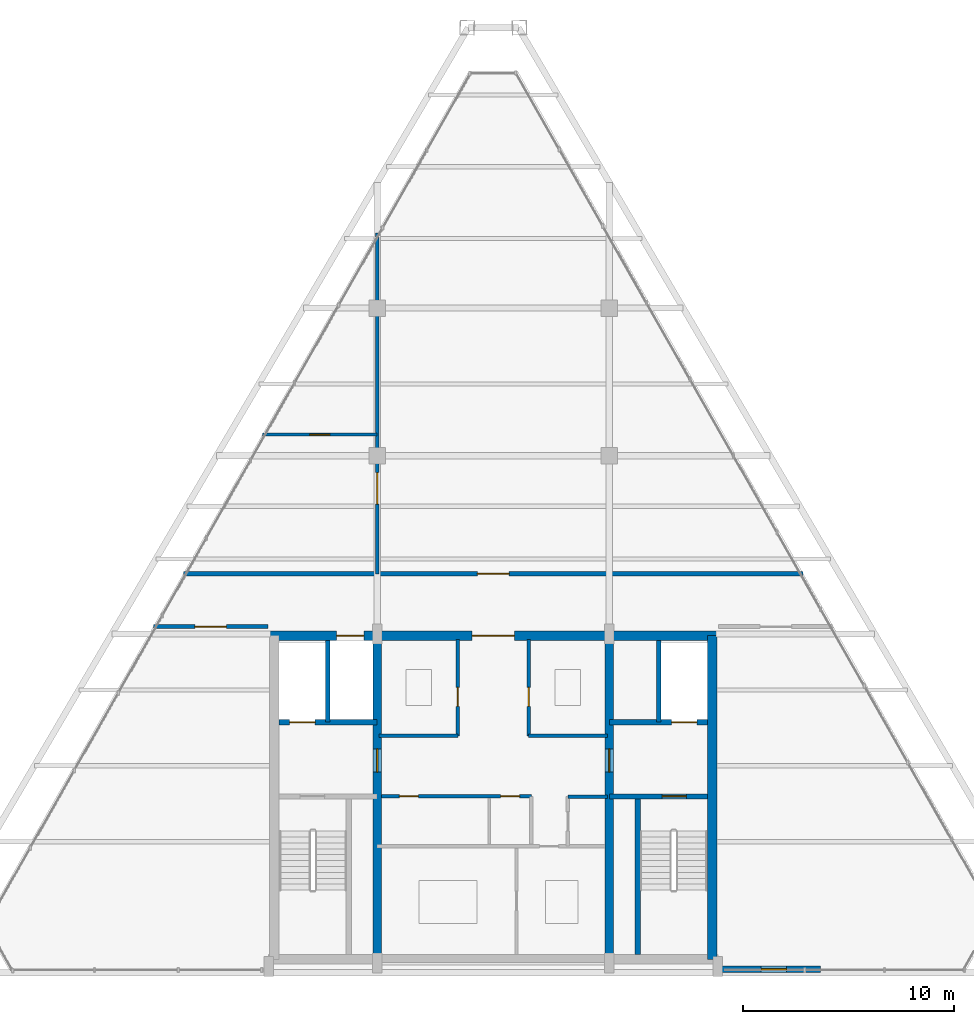
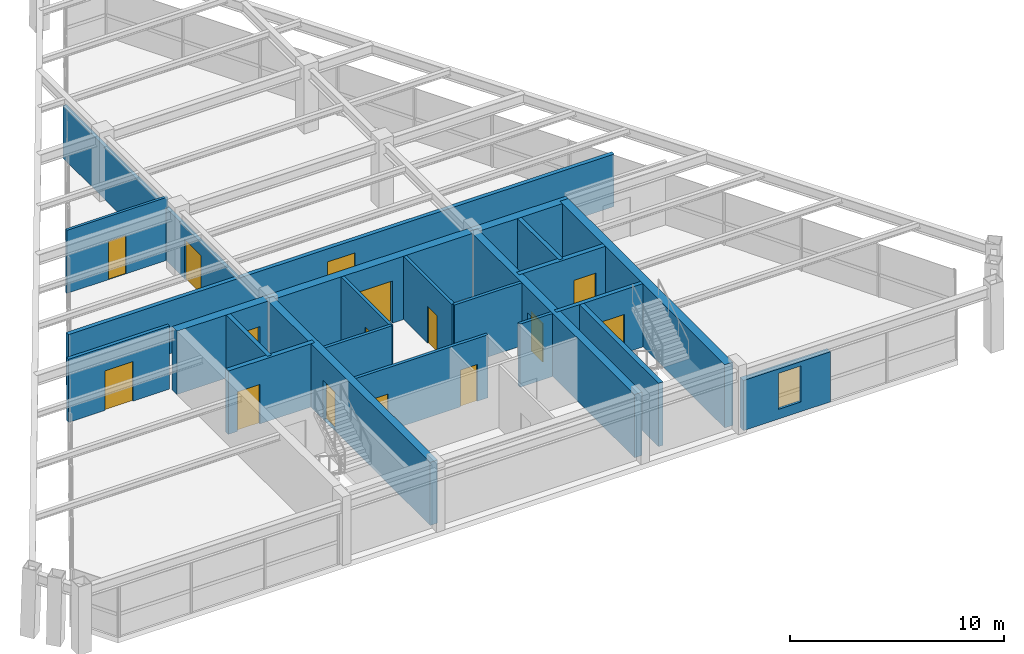
# One storey, part 10 of 12: 21 walls, 15 doors, 1 window, 16 openings.
"""IFC4 building model written with IfcOpenShell, lengths in metres."""

from ifc_helpers import new_model, si_unit, direction, frame, frame_2d, origin, place, context, subcontext, project, spatial, rectangle, extrude, source, transform, mapped, material, layer, layer_set, type_object, type_shapes, element, fill, save


model = new_model("IFC4")

# Units and contexts
model_context = context("Model", 3, precision=1e-05, world=origin(), true_north=direction((0.0, 1.0)))
body_context = subcontext(model_context, "Body", "Model", "MODEL_VIEW")
ifc_project = project(units=[si_unit("LENGTHUNIT", "METRE"), si_unit("AREAUNIT", "SQUARE_METRE"), si_unit("VOLUMEUNIT", "CUBIC_METRE"), si_unit("PLANEANGLEUNIT", "RADIAN"), si_unit("MASSUNIT", "GRAM", prefix="KILO")], contexts=[model_context])

# Site, building, storey
site_placement = place(None, origin())
site = spatial("IfcSite", under=ifc_project, at=site_placement, CompositionType="ELEMENT")
building_placement = place(site_placement, origin())
building = spatial("IfcBuilding", under=site, at=building_placement, Name="Varnakhor Terracotta Tower", CompositionType="ELEMENT")
storey_placement = place(building_placement, frame((0.0, 0.0, 309.699951171875)))
storey = spatial("IfcBuildingStorey", under=building, at=storey_placement, Name="L81 Crown", CompositionType="ELEMENT", Elevation=309.699951171875)

# Wall, openings, doors
ifc_material_1 = material(Name="Concrete C50/60", Category="concrete")
ifc_layer_1 = layer(ifc_material_1, 0.449951171875, Name="Concrete C50/60")
ifc_layer_set_1 = layer_set([ifc_layer_1], Name="Concrete C50/60")
wall_type_1 = type_object("IfcWallType", Name="WAL-CORE-450", PredefinedType="SHEAR", material=ifc_layer_set_1)
wall_1_placement = place(storey_placement, frame((-10.60009765625, 15.97509765625, 0.0), z_axis=(0.0, 0.0, 1.0), x_axis=(1.0, 0.0, 0.0)))
wall_1 = element("IfcWall", 1, at=wall_1_placement, inside=storey, type_object=wall_type_1, Name="L81 Crown North Core Shear Wall", PredefinedType="SHEAR", context=body_context, shape_type="SweptSolid", body=[
    extrude(rectangle(XDim=21.2001953125, YDim=0.449951171875, at=frame_2d((10.60009765625, 0.0))), origin(), (0.0, 0.0, 1.0), 3.60009765625),
])
opening_1_placement = place(wall_1_placement, frame((3.169921875, 0.0, 0.0)))
opening_1 = element("IfcOpeningElement", 2, at=opening_1_placement, cuts=wall_1, Name="Opening LD-03", PredefinedType="OPENING", context=body_context, shape_type="SweptSolid", body=[
    extrude(rectangle(XDim=1.300048828125, YDim=2.300048828125, at=frame_2d((0.64990234375, 1.14990234375))), frame((0.0, 0.23486328125, 0.0), z_axis=(0.0, -1.0, 0.0), x_axis=(1.0, 0.0, 0.0)), (0.0, 0.0, 1.0), 0.469970703125),
])
opening_2_placement = place(wall_1_placement, frame((9.60009765625, 0.0, 0.0)))
opening_2 = element("IfcOpeningElement", 3, at=opening_2_placement, cuts=wall_1, Name="Opening DR-32", PredefinedType="OPENING", context=body_context, shape_type="SweptSolid", body=[
    extrude(rectangle(XDim=2.0, YDim=2.39990234375, at=frame_2d((1.0, 1.199951171875))), frame((0.0, 0.23486328125, 0.0), z_axis=(0.0, -1.0, 0.0), x_axis=(1.0, 0.0, 0.0)), (0.0, 0.0, 1.0), 0.469970703125),
])
ifc_material_2 = material(Name="Heavy-Duty Goods Sliding Lift Landing Door", Category="steel")
door_type_1 = type_object("IfcDoorType", Name="LD-SRV-1300X2300", OperationType="NOTDEFINED", PredefinedType="DOOR", material=ifc_material_2)
shared_shape_1 = source(origin(), body_context, "Body", "SweptSolid", [
    extrude(rectangle(XDim=1.300048828125, YDim=2.300048828125, at=frame_2d((0.64990234375, 1.14990234375))), frame((0.0, 0.02490234375, 0.0), z_axis=(0.0, -1.0, 0.0), x_axis=(1.0, 0.0, 0.0)), (0.0, 0.0, 1.0), 0.050048828125),
])
type_shapes(door_type_1, [shared_shape_1])
door_1_placement = place(opening_1_placement, origin())
door_1 = element("IfcDoor", 4, at=door_1_placement, inside=storey, type_object=door_type_1, Name="L81 Crown Service Lift SVL-1 Landing Door", OperationType="SLIDING_TO_RIGHT", OverallHeight=2.300048828125, OverallWidth=1.300048828125, PredefinedType="DOOR", context=body_context, shape_type="MappedRepresentation", body=[
    mapped(shared_shape_1, transform((0.0, 0.0, 0.0), scale=1.0)),
])
fill(opening_1, door_1)
ifc_material_3 = material(Name="Acoustic Double Assembly Fire Door", Category="wood")
door_type_2 = type_object("IfcDoorType", Name="DR-HALL-2000X2400", OperationType="NOTDEFINED", PredefinedType="DOOR", material=ifc_material_3)
shared_shape_2 = source(origin(), body_context, "Body", "SweptSolid", [
    extrude(rectangle(XDim=2.0, YDim=2.39990234375, at=frame_2d((1.0, 1.199951171875))), frame((0.0, 0.02490234375, 0.0), z_axis=(0.0, -1.0, 0.0), x_axis=(1.0, 0.0, 0.0)), (0.0, 0.0, 1.0), 0.050048828125),
])
type_shapes(door_type_2, [shared_shape_2])
door_2_placement = place(opening_2_placement, origin())
door_2 = element("IfcDoor", 5, at=door_2_placement, inside=storey, type_object=door_type_2, Name="L81 Crown Core Main Lobby Double Door", OperationType="DOUBLE_DOOR_SINGLE_SWING", OverallHeight=2.39990234375, OverallWidth=2.0, PredefinedType="DOOR", context=body_context, shape_type="MappedRepresentation", body=[
    mapped(shared_shape_2, transform((0.0, 0.0, 0.0), scale=1.0)),
])
fill(opening_2, door_2)

# Wall
wall_2_placement = place(storey_placement, frame((10.375, 0.625, 0.0), z_axis=(0.0, 0.0, 1.0), x_axis=(0.0, 1.0, 0.0)))
element("IfcWall", 6, at=wall_2_placement, inside=storey, type_object=wall_type_1, Name="L81 Crown East Core Shear Wall", PredefinedType="SHEAR", context=body_context, shape_type="SweptSolid", body=[
    extrude(rectangle(XDim=15.35009765625, YDim=0.449951171875, at=frame_2d((7.675048828125, 0.0))), origin(), (0.0, 0.0, 1.0), 3.60009765625),
])

# Wall, opening, door
ifc_layer_2 = layer(ifc_material_1, 0.39990234375, Name="Concrete C50/60")
ifc_layer_set_2 = layer_set([ifc_layer_2], Name="Concrete C50/60")
wall_type_2 = type_object("IfcWallType", Name="WAL-CORE-WEB-400", PredefinedType="SHEAR", material=ifc_layer_set_2)
wall_3_placement = place(storey_placement, frame((-5.5, 0.625, 0.0), z_axis=(0.0, 0.0, 1.0), x_axis=(0.0, 1.0, 0.0)))
wall_3 = element("IfcWall", 7, at=wall_3_placement, inside=storey, type_object=wall_type_2, Name="L81 Crown West Core Web Shear Wall", PredefinedType="SHEAR", context=body_context, shape_type="SweptSolid", body=[
    extrude(rectangle(XDim=15.35009765625, YDim=0.39990234375, at=frame_2d((7.675048828125, 0.0))), origin(), (0.0, 0.0, 1.0), 3.60009765625),
])
opening_3_placement = place(wall_3_placement, frame((8.875, 0.0, 0.0)))
opening_3 = element("IfcOpeningElement", 8, at=opening_3_placement, cuts=wall_3, Name="Opening DR-25", PredefinedType="OPENING", context=body_context, shape_type="SweptSolid", body=[
    extrude(rectangle(XDim=1.10009765625, YDim=2.199951171875, at=frame_2d((0.550048828125, 1.10009765625))), frame((0.0, 0.2099609375, 0.0), z_axis=(0.0, -1.0, 0.0), x_axis=(1.0, 0.0, 0.0)), (0.0, 0.0, 1.0), 0.419921875),
])
ifc_material_4 = material(Name="Firefighting Lobby Self-Closing Fire Door", Category="steel")
door_type_3 = type_object("IfcDoorType", Name="DR-FFL-1100X2200", OperationType="NOTDEFINED", PredefinedType="DOOR", material=ifc_material_4)
shared_shape_3 = source(origin(), body_context, "Body", "SweptSolid", [
    extrude(rectangle(XDim=1.10009765625, YDim=2.199951171875, at=frame_2d((0.550048828125, 1.10009765625))), frame((0.0, 0.02490234375, 0.0), z_axis=(0.0, -1.0, 0.0), x_axis=(1.0, 0.0, 0.0)), (0.0, 0.0, 1.0), 0.050048828125),
])
type_shapes(door_type_3, [shared_shape_3])
door_3_placement = place(opening_3_placement, origin())
door_3 = element("IfcDoor", 9, at=door_3_placement, inside=storey, type_object=door_type_3, Name="L81 Crown West Firefighting Lobby Door", OperationType="SINGLE_SWING_LEFT", OverallHeight=2.199951171875, OverallWidth=1.10009765625, PredefinedType="DOOR", context=body_context, shape_type="MappedRepresentation", body=[
    mapped(shared_shape_3, transform((0.0, 0.0, 0.0), scale=1.0)),
])
fill(opening_3, door_3)

wall_4_placement = place(storey_placement, frame((5.5, 0.625, 0.0), z_axis=(0.0, 0.0, 1.0), x_axis=(0.0, 1.0, 0.0)))
wall_4 = element("IfcWall", 10, at=wall_4_placement, inside=storey, type_object=wall_type_2, Name="L81 Crown East Core Web Shear Wall", PredefinedType="SHEAR", context=body_context, shape_type="SweptSolid", body=[
    extrude(rectangle(XDim=15.35009765625, YDim=0.39990234375, at=frame_2d((7.675048828125, 0.0))), origin(), (0.0, 0.0, 1.0), 3.60009765625),
])
opening_4_placement = place(wall_4_placement, frame((8.875, 0.0, 0.0)))
opening_4 = element("IfcOpeningElement", 11, at=opening_4_placement, cuts=wall_4, Name="Opening DR-25", PredefinedType="OPENING", context=body_context, shape_type="SweptSolid", body=[
    extrude(rectangle(XDim=1.10009765625, YDim=2.199951171875, at=frame_2d((0.550048828125, 1.10009765625))), frame((0.0, 0.2099609375, 0.0), z_axis=(0.0, -1.0, 0.0), x_axis=(1.0, 0.0, 0.0)), (0.0, 0.0, 1.0), 0.419921875),
])
door_4_placement = place(opening_4_placement, origin())
door_4 = element("IfcDoor", 12, at=door_4_placement, inside=storey, type_object=door_type_3, Name="L81 Crown East Firefighting Lobby Door", OperationType="SINGLE_SWING_LEFT", OverallHeight=2.199951171875, OverallWidth=1.10009765625, PredefinedType="DOOR", context=body_context, shape_type="MappedRepresentation", body=[
    mapped(shared_shape_3, transform((0.0, 0.0, 0.0), scale=1.0)),
])
fill(opening_4, door_4)

ifc_material_5 = material(Name="Fire-Rated Gypsum Stud Partition", Category="gypsum")
ifc_layer_3 = layer(ifc_material_5, 0.18505859375, Name="Fire-Rated Gypsum Stud Partition")
ifc_layer_set_3 = layer_set([ifc_layer_3], Name="Fire-Rated Gypsum Stud Partition")
wall_type_3 = type_object("IfcWallType", Name="WAL-CORR-185", PredefinedType="PARTITIONING", material=ifc_layer_set_3)
wall_5_placement = place(storey_placement, frame((-16.110595703125, 16.39990234375, 0.0), z_axis=(0.0, 0.0, 1.0), x_axis=(1.0, 0.0, 0.0)))
wall_5 = element("IfcWall", 13, at=wall_5_placement, inside=storey, type_object=wall_type_3, Name="L81 Crown West Plant Wall", PredefinedType="PARTITIONING", context=body_context, shape_type="SweptSolid", body=[
    extrude(rectangle(XDim=5.4306640625, YDim=0.18505859375, at=frame_2d((2.71533203125, 0.0))), origin(), (0.0, 0.0, 1.0), 3.592041015625),
])
opening_5_placement = place(wall_5_placement, frame((1.96533203125, 0.0, 0.0)))
opening_5 = element("IfcOpeningElement", 14, at=opening_5_placement, cuts=wall_5, Name="Opening DR-30", PredefinedType="OPENING", context=body_context, shape_type="SweptSolid", body=[
    extrude(rectangle(XDim=1.5, YDim=2.25, at=frame_2d((0.75, 1.125))), frame((0.0, 0.1025390625, 0.0), z_axis=(0.0, -1.0, 0.0), x_axis=(1.0, 0.0, 0.0)), (0.0, 0.0, 1.0), 0.205078125),
])
ifc_material_6 = material(Name="Double Acoustic Conference Room Door", Category="wood")
door_type_4 = type_object("IfcDoorType", Name="DR-MEET-1500X2250", OperationType="NOTDEFINED", PredefinedType="DOOR", material=ifc_material_6)
shared_shape_4 = source(origin(), body_context, "Body", "SweptSolid", [
    extrude(rectangle(XDim=1.5, YDim=2.25, at=frame_2d((0.75, 1.125))), frame((0.0, 0.02490234375, 0.0), z_axis=(0.0, -1.0, 0.0), x_axis=(1.0, 0.0, 0.0)), (0.0, 0.0, 1.0), 0.050048828125),
])
type_shapes(door_type_4, [shared_shape_4])
door_5_placement = place(opening_5_placement, origin())
door_5 = element("IfcDoor", 15, at=door_5_placement, inside=storey, type_object=door_type_4, Name="L81 Crown West Mechanical Room Door", OperationType="DOUBLE_DOOR_SINGLE_SWING", OverallHeight=2.25, OverallWidth=1.5, PredefinedType="DOOR", context=body_context, shape_type="MappedRepresentation", body=[
    mapped(shared_shape_4, transform((0.0, 0.0, 0.0), scale=1.0)),
])
fill(opening_5, door_5)

wall_6_placement = place(storey_placement, frame((-5.5, 18.89990234375, 0.0), z_axis=(0.0, 0.0, 1.0), x_axis=(0.0, 1.0, 0.0)))
wall_6 = element("IfcWall", 16, at=wall_6_placement, inside=storey, type_object=wall_type_3, Name="L81 Crown Crown Plant Division Wall", PredefinedType="PARTITIONING", context=body_context, shape_type="SweptSolid", body=[
    extrude(rectangle(XDim=16.16455078125, YDim=0.18505859375, at=frame_2d((8.082275390625, 0.0))), origin(), (0.0, 0.0, 1.0), 2.991943359375),
])
opening_6_placement = place(wall_6_placement, frame((3.300048828125, 0.0, 0.0)))
opening_6 = element("IfcOpeningElement", 17, at=opening_6_placement, cuts=wall_6, Name="Opening DR-30", PredefinedType="OPENING", context=body_context, shape_type="SweptSolid", body=[
    extrude(rectangle(XDim=1.5, YDim=2.25, at=frame_2d((0.75, 1.125))), frame((0.0, 0.1025390625, 0.0), z_axis=(0.0, -1.0, 0.0), x_axis=(1.0, 0.0, 0.0)), (0.0, 0.0, 1.0), 0.205078125),
])
door_6_placement = place(opening_6_placement, origin())
door_6 = element("IfcDoor", 18, at=door_6_placement, inside=storey, type_object=door_type_4, Name="L81 Crown Crown Plant Door", OperationType="DOUBLE_DOOR_SINGLE_SWING", OverallHeight=2.25, OverallWidth=1.5, PredefinedType="DOOR", context=body_context, shape_type="MappedRepresentation", body=[
    mapped(shared_shape_4, transform((0.0, 0.0, 0.0), scale=1.0)),
])
fill(opening_6, door_6)

# Wall, opening, window
ifc_material_7 = material(Name="Extruded Architectural Terracotta Assembly", Category="masonry")
ifc_layer_4 = layer(ifc_material_7, 0.320068359375, Name="Extruded Architectural Terracotta Assembly")
ifc_layer_set_4 = layer_set([ifc_layer_4], Name="Extruded Architectural Terracotta Assembly")
wall_type_4 = type_object("IfcWallType", Name="WAL-EXT-TERRACOTTA-320", PredefinedType="SOLIDWALL", material=ifc_layer_set_4)
wall_7_placement = place(storey_placement, frame((15.5, 0.159912109375, 0.0), z_axis=(0.0, 0.0, 1.0), x_axis=(-1.0, 0.0, 0.0)))
wall_7 = element("IfcWall", 19, at=wall_7_placement, inside=storey, type_object=wall_type_4, Name="L81 Crown South Crown Terracotta Spandrel Wall", PredefinedType="SOLIDWALL", context=body_context, shape_type="SweptSolid", body=[
    extrude(rectangle(XDim=4.699951171875, YDim=0.320068359375, at=frame_2d((2.35009765625, 0.0))), origin(), (0.0, 0.0, 1.0), 2.85009765625),
])
opening_7_placement = place(wall_7_placement, frame((1.60009765625, 0.0, 0.550048828125)))
opening_7 = element("IfcOpeningElement", 20, at=opening_7_placement, cuts=wall_7, Name="Opening WN-55", PredefinedType="OPENING", context=body_context, shape_type="SweptSolid", body=[
    extrude(rectangle(XDim=1.199951171875, YDim=2.050048828125, at=frame_2d((0.60009765625, 1.02490234375))), frame((0.0, 0.169921875, 0.0), z_axis=(0.0, -1.0, 0.0), x_axis=(1.0, 0.0, 0.0)), (0.0, 0.0, 1.0), 0.340087890625),
])
ifc_material_8 = material(Name="Solar-Control Low-E Insulated Glass Unit", Category="glass")
window_type = type_object("IfcWindowType", Name="WIN-CRN-1200X2200", PartitioningType="SINGLE_PANEL", PredefinedType="WINDOW", material=ifc_material_8)
shared_shape_5 = source(origin(), body_context, "Body", "SweptSolid", [
    extrude(rectangle(XDim=1.199951171875, YDim=2.050048828125, at=frame_2d((0.60009765625, 1.02490234375))), frame((0.0, 0.030029296875, 0.0), z_axis=(0.0, -1.0, 0.0), x_axis=(1.0, 0.0, 0.0)), (0.0, 0.0, 1.0), 0.06005859375),
])
type_shapes(window_type, [shared_shape_5])
window_placement = place(opening_7_placement, origin())
window = element("IfcWindow", 21, at=window_placement, inside=storey, type_object=window_type, Name="L81 Crown Crown Slot Window", OverallHeight=2.050048828125, OverallWidth=1.199951171875, PartitioningType="SINGLE_PANEL", PredefinedType="WINDOW", context=body_context, shape_type="MappedRepresentation", body=[
    mapped(shared_shape_5, transform((0.0, 0.0, 0.0), scale=1.0)),
])
fill(opening_7, window)

# Wall, opening, door
ifc_material_9 = material(Name="Concrete C40/50", Category="concrete")
ifc_layer_5 = layer(ifc_material_9, 0.219970703125, Name="Concrete C40/50")
ifc_layer_set_5 = layer_set([ifc_layer_5], Name="Concrete C40/50")
wall_type_5 = type_object("IfcWallType", Name="WAL-FFLOBBY-220", PredefinedType="SOLIDWALL", material=ifc_layer_set_5)
wall_8_placement = place(storey_placement, frame((10.14990234375, 8.35009765625, 0.0), z_axis=(0.0, 0.0, 1.0), x_axis=(-1.0, 0.0, 0.0)))
wall_8 = element("IfcWall", 22, at=wall_8_placement, inside=storey, type_object=wall_type_5, Name="L81 Crown East Firefighting Lobby Stair Wall", PredefinedType="SOLIDWALL", context=body_context, shape_type="SweptSolid", body=[
    extrude(rectangle(XDim=4.64990234375, YDim=0.219970703125, at=frame_2d((2.324951171875, 0.0))), origin(), (0.0, 0.0, 1.0), 3.60009765625),
])
opening_8_placement = place(wall_8_placement, frame((1.0, 0.0, 0.0)))
opening_8 = element("IfcOpeningElement", 23, at=opening_8_placement, cuts=wall_8, Name="Opening DR-34", PredefinedType="OPENING", context=body_context, shape_type="SweptSolid", body=[
    extrude(rectangle(XDim=1.14990234375, YDim=2.199951171875, at=frame_2d((0.574951171875, 1.10009765625))), frame((0.0, 0.1201171875, 0.0), z_axis=(0.0, -1.0, 0.0), x_axis=(1.0, 0.0, 0.0)), (0.0, 0.0, 1.0), 0.239990234375),
])
ifc_material_10 = material(Name="Self-Closing Smoke-Sealed Steel Fire Door", Category="steel")
door_type_5 = type_object("IfcDoorType", Name="DR-STAIR-1150X2200", OperationType="NOTDEFINED", PredefinedType="DOOR", material=ifc_material_10)
shared_shape_6 = source(origin(), body_context, "Body", "SweptSolid", [
    extrude(rectangle(XDim=1.14990234375, YDim=2.199951171875, at=frame_2d((0.574951171875, 1.10009765625))), frame((0.0, 0.02490234375, 0.0), z_axis=(0.0, -1.0, 0.0), x_axis=(1.0, 0.0, 0.0)), (0.0, 0.0, 1.0), 0.050048828125),
])
type_shapes(door_type_5, [shared_shape_6])
door_7_placement = place(opening_8_placement, origin())
door_7 = element("IfcDoor", 24, at=door_7_placement, inside=storey, type_object=door_type_5, Name="L81 Crown Exit Stair ST-2 Fire Door", OperationType="SINGLE_SWING_RIGHT", OverallHeight=2.199951171875, OverallWidth=1.14990234375, PredefinedType="DOOR", context=body_context, shape_type="MappedRepresentation", body=[
    mapped(shared_shape_6, transform((0.0, 0.0, 0.0), scale=1.0)),
])
fill(opening_8, door_7)

wall_9_placement = place(storey_placement, frame((-14.689453125, 18.89990234375, 0.0), z_axis=(0.0, 0.0, 1.0), x_axis=(1.0, 0.0, 0.0)))
wall_9 = element("IfcWall", 25, at=wall_9_placement, inside=storey, type_object=wall_type_5, Name="L81 Crown Plant Corridor Wall", PredefinedType="SOLIDWALL", context=body_context, shape_type="SweptSolid", body=[
    extrude(rectangle(XDim=29.37890625, YDim=0.219970703125, at=frame_2d((14.689453125, 0.0))), origin(), (0.0, 0.0, 1.0), 2.991943359375),
])
opening_9_placement = place(wall_9_placement, frame((13.939453125, 0.0, 0.0)))
opening_9 = element("IfcOpeningElement", 26, at=opening_9_placement, cuts=wall_9, Name="Opening DR-30", PredefinedType="OPENING", context=body_context, shape_type="SweptSolid", body=[
    extrude(rectangle(XDim=1.5, YDim=2.25, at=frame_2d((0.75, 1.125))), frame((0.0, 0.1201171875, 0.0), z_axis=(0.0, -1.0, 0.0), x_axis=(1.0, 0.0, 0.0)), (0.0, 0.0, 1.0), 0.239990234375),
])
door_8_placement = place(opening_9_placement, origin())
door_8 = element("IfcDoor", 27, at=door_8_placement, inside=storey, type_object=door_type_4, Name="L81 Crown North Plant Access Door", OperationType="DOUBLE_DOOR_SINGLE_SWING", OverallHeight=2.25, OverallWidth=1.5, PredefinedType="DOOR", context=body_context, shape_type="MappedRepresentation", body=[
    mapped(shared_shape_4, transform((0.0, 0.0, 0.0), scale=1.0)),
])
fill(opening_9, door_8)

ifc_material_11 = material(Name="Acoustic Metal-Stud Partition", Category="gypsum")
ifc_layer_6 = layer(ifc_material_11, 0.139892578125, Name="Acoustic Metal-Stud Partition")
ifc_layer_set_6 = layer_set([ifc_layer_6], Name="Acoustic Metal-Stud Partition")
wall_type_6 = type_object("IfcWallType", Name="WAL-PART-140", PredefinedType="PARTITIONING", material=ifc_layer_set_6)
wall_10_placement = place(storey_placement, frame((-10.9375, 25.5, 0.0), z_axis=(0.0, 0.0, 1.0), x_axis=(1.0, 0.0, 0.0)))
wall_10 = element("IfcWall", 28, at=wall_10_placement, inside=storey, type_object=wall_type_6, Name="L81 Crown Crown Sub-Plant Wall", PredefinedType="PARTITIONING", context=body_context, shape_type="SweptSolid", body=[
    extrude(rectangle(XDim=5.4375, YDim=0.139892578125, at=frame_2d((2.71875, 0.0))), origin(), (0.0, 0.0, 1.0), 3.592041015625),
])
opening_10_placement = place(wall_10_placement, frame((2.24365234375, 0.0, 0.0)))
opening_10 = element("IfcOpeningElement", 29, at=opening_10_placement, cuts=wall_10, Name="Opening DR-94", PredefinedType="OPENING", context=body_context, shape_type="SweptSolid", body=[
    extrude(rectangle(XDim=0.949951171875, YDim=2.199951171875, at=frame_2d((0.47509765625, 1.10009765625))), frame((0.0, 0.080078125, 0.0), z_axis=(0.0, -1.0, 0.0), x_axis=(1.0, 0.0, 0.0)), (0.0, 0.0, 1.0), 0.159912109375),
])
ifc_material_12 = material(Name="Acoustic Glazed-Vision Timber Office Door", Category="wood")
door_type_6 = type_object("IfcDoorType", Name="DR-OFF-950X2200", OperationType="NOTDEFINED", PredefinedType="DOOR", material=ifc_material_12)
shared_shape_7 = source(origin(), body_context, "Body", "SweptSolid", [
    extrude(rectangle(XDim=0.949951171875, YDim=2.199951171875, at=frame_2d((0.47509765625, 1.10009765625))), frame((0.0, 0.02490234375, 0.0), z_axis=(0.0, -1.0, 0.0), x_axis=(1.0, 0.0, 0.0)), (0.0, 0.0, 1.0), 0.050048828125),
])
type_shapes(door_type_6, [shared_shape_7])
door_9_placement = place(opening_10_placement, origin())
door_9 = element("IfcDoor", 30, at=door_9_placement, inside=storey, type_object=door_type_6, Name="L81 Crown Crown Aux Door", OperationType="SINGLE_SWING_LEFT", OverallHeight=2.199951171875, OverallWidth=0.949951171875, PredefinedType="DOOR", context=body_context, shape_type="MappedRepresentation", body=[
    mapped(shared_shape_7, transform((0.0, 0.0, 0.0), scale=1.0)),
])
fill(opening_10, door_9)

# Walls
ifc_layer_7 = layer(ifc_material_9, 0.219970703125, Name="Concrete C40/50")
ifc_layer_set_7 = layer_set([ifc_layer_7], Name="Concrete C40/50")
wall_type_7 = type_object("IfcWallType", Name="WAL-SHAFT-220", PredefinedType="SOLIDWALL", material=ifc_layer_set_7)
for number, where, z_axis, x_axis, name in (
    (31, (-7.840087890625, 11.8701171875, 0.0), (0.0, 0.0, 1.0), (0.0, 1.0, 0.0), "L81 Crown Lift FFL-1 and SVL-1 Divider Wall"),
    (32, (7.840087890625, 11.8701171875, 0.0), (0.0, 0.0, 1.0), (0.0, 1.0, 0.0), "L81 Crown Lift FFL-2 and Riser Divider Wall"),
):
    element("IfcWall", number, at=place(storey_placement, frame(where, z_axis=z_axis, x_axis=x_axis)), inside=storey, type_object=wall_type_7, Name=name, PredefinedType="SOLIDWALL", context=body_context, shape_type="SweptSolid", body=[
        extrude(rectangle(XDim=3.8798828125, YDim=0.219970703125, at=frame_2d((1.93994140625, 0.0))), origin(), (0.0, 0.0, 1.0), 3.60009765625),
    ])

# Wall, opening, door
ifc_layer_8 = layer(ifc_material_9, 0.25, Name="Concrete C40/50")
ifc_layer_set_8 = layer_set([ifc_layer_8], Name="Concrete C40/50")
wall_type_8 = type_object("IfcWallType", Name="WAL-SHAFT-250", PredefinedType="SOLIDWALL", material=ifc_layer_set_8)
wall_11_placement = place(storey_placement, frame((-5.5, 11.8701171875, 0.0), z_axis=(0.0, 0.0, 1.0), x_axis=(-1.0, 0.0, 0.0)))
wall_11 = element("IfcWall", 33, at=wall_11_placement, inside=storey, type_object=wall_type_8, Name="L81 Crown Lift FFL-1 Shaft Front Wall", PredefinedType="SOLIDWALL", context=body_context, shape_type="SweptSolid", body=[
    extrude(rectangle(XDim=4.64990234375, YDim=0.25, at=frame_2d((2.324951171875, 0.0))), origin(), (0.0, 0.0, 1.0), 3.60009765625),
])
opening_11_placement = place(wall_11_placement, frame((2.949951171875, 0.0, 0.0)))
opening_11 = element("IfcOpeningElement", 34, at=opening_11_placement, cuts=wall_11, Name="Opening LD-02", PredefinedType="OPENING", context=body_context, shape_type="SweptSolid", body=[
    extrude(rectangle(XDim=1.199951171875, YDim=2.25, at=frame_2d((0.60009765625, 1.125))), frame((0.0, 0.135009765625, 0.0), z_axis=(0.0, -1.0, 0.0), x_axis=(1.0, 0.0, 0.0)), (0.0, 0.0, 1.0), 0.27001953125),
])
ifc_material_13 = material(Name="Firefighting Stretcher Sliding Lift Landing Door", Category="steel")
door_type_7 = type_object("IfcDoorType", Name="LD-FFL-1200X2250", OperationType="NOTDEFINED", PredefinedType="DOOR", material=ifc_material_13)
shared_shape_8 = source(origin(), body_context, "Body", "SweptSolid", [
    extrude(rectangle(XDim=1.199951171875, YDim=2.25, at=frame_2d((0.60009765625, 1.125))), frame((0.0, 0.02490234375, 0.0), z_axis=(0.0, -1.0, 0.0), x_axis=(1.0, 0.0, 0.0)), (0.0, 0.0, 1.0), 0.050048828125),
])
type_shapes(door_type_7, [shared_shape_8])
door_10_placement = place(opening_11_placement, origin())
door_10 = element("IfcDoor", 35, at=door_10_placement, inside=storey, type_object=door_type_7, Name="L81 Crown Firefighting Lift FFL-1 Landing Door", OperationType="SLIDING_TO_LEFT", OverallHeight=2.25, OverallWidth=1.199951171875, PredefinedType="DOOR", context=body_context, shape_type="MappedRepresentation", body=[
    mapped(shared_shape_8, transform((0.0, 0.0, 0.0), scale=1.0)),
])
fill(opening_11, door_10)

# Wall
wall_12_placement = place(storey_placement, frame((6.85009765625, 0.85009765625, 0.0), z_axis=(0.0, 0.0, 1.0), x_axis=(0.0, 1.0, 0.0)))
element("IfcWall", 36, at=wall_12_placement, inside=storey, type_object=wall_type_8, Name="L81 Crown Stair ST-2 Bearing Shaft Wall", PredefinedType="SOLIDWALL", context=body_context, shape_type="SweptSolid", body=[
    extrude(rectangle(XDim=7.5, YDim=0.25, at=frame_2d((3.75, 0.0))), origin(), (0.0, 0.0, 1.0), 3.60009765625),
])

# Wall, opening, door
wall_13_placement = place(storey_placement, frame((10.14990234375, 11.8701171875, 0.0), z_axis=(0.0, 0.0, 1.0), x_axis=(-1.0, 0.0, 0.0)))
wall_13 = element("IfcWall", 37, at=wall_13_placement, inside=storey, type_object=wall_type_8, Name="L81 Crown Lift FFL-2 Shaft Front Wall", PredefinedType="SOLIDWALL", context=body_context, shape_type="SweptSolid", body=[
    extrude(rectangle(XDim=4.64990234375, YDim=0.25, at=frame_2d((2.324951171875, 0.0))), origin(), (0.0, 0.0, 1.0), 3.60009765625),
])
opening_12_placement = place(wall_13_placement, frame((0.5, 0.0, 0.0)))
opening_12 = element("IfcOpeningElement", 38, at=opening_12_placement, cuts=wall_13, Name="Opening LD-02", PredefinedType="OPENING", context=body_context, shape_type="SweptSolid", body=[
    extrude(rectangle(XDim=1.199951171875, YDim=2.25, at=frame_2d((0.60009765625, 1.125))), frame((0.0, 0.135009765625, 0.0), z_axis=(0.0, -1.0, 0.0), x_axis=(1.0, 0.0, 0.0)), (0.0, 0.0, 1.0), 0.27001953125),
])
door_11_placement = place(opening_12_placement, origin())
door_11 = element("IfcDoor", 39, at=door_11_placement, inside=storey, type_object=door_type_7, Name="L81 Crown Firefighting Lift FFL-2 Landing Door", OperationType="SLIDING_TO_RIGHT", OverallHeight=2.25, OverallWidth=1.199951171875, PredefinedType="DOOR", context=body_context, shape_type="MappedRepresentation", body=[
    mapped(shared_shape_8, transform((0.0, 0.0, 0.0), scale=1.0)),
])
fill(opening_12, door_11)

# Wall
ifc_material_14 = material(Name="Acoustic Fire-Rated Partition", Category="gypsum")
ifc_layer_9 = layer(ifc_material_14, 0.1650390625, Name="Acoustic Fire-Rated Partition")
ifc_layer_set_9 = layer_set([ifc_layer_9], Name="Acoustic Fire-Rated Partition")
wall_type_9 = type_object("IfcWallType", Name="WAL-TENANCY-165", PredefinedType="PARTITIONING", material=ifc_layer_set_9)
wall_14_placement = place(storey_placement, frame((3.5400390625, 8.340087890625, 0.0), z_axis=(0.0, 0.0, 1.0), x_axis=(1.0, 0.0, 0.0)))
element("IfcWall", 40, at=wall_14_placement, inside=storey, type_object=wall_type_9, Name="L81 Crown Accessible WC North Wall", PredefinedType="PARTITIONING", context=body_context, shape_type="SweptSolid", body=[
    extrude(rectangle(XDim=1.8798828125, YDim=0.1650390625, at=frame_2d((0.93994140625, 0.0))), origin(), (0.0, 0.0, 1.0), 3.592041015625),
])

# Wall, openings, doors
wall_15_placement = place(storey_placement, frame((-5.300048828125, 8.35009765625, 0.0), z_axis=(0.0, 0.0, 1.0), x_axis=(1.0, 0.0, 0.0)))
wall_15 = element("IfcWall", 41, at=wall_15_placement, inside=storey, type_object=wall_type_9, Name="L81 Crown Reclaimed Mid-Core North Wall", PredefinedType="PARTITIONING", context=body_context, shape_type="SweptSolid", body=[
    extrude(rectangle(XDim=7.1201171875, YDim=0.1650390625, at=frame_2d((3.56005859375, 0.0))), origin(), (0.0, 0.0, 1.0), 3.592041015625),
])
opening_13_placement = place(wall_15_placement, frame((0.85009765625, 0.0, 0.0)))
opening_13 = element("IfcOpeningElement", 42, at=opening_13_placement, cuts=wall_15, Name="Opening DR-67", PredefinedType="OPENING", context=body_context, shape_type="SweptSolid", body=[
    extrude(rectangle(XDim=0.89990234375, YDim=2.10009765625, at=frame_2d((0.449951171875, 1.050048828125))), frame((0.0, 0.092529296875, 0.0), z_axis=(0.0, -1.0, 0.0), x_axis=(1.0, 0.0, 0.0)), (0.0, 0.0, 1.0), 0.18505859375),
])
opening_14_placement = place(wall_15_placement, frame((5.64990234375, 0.0, 0.0)))
opening_14 = element("IfcOpeningElement", 43, at=opening_14_placement, cuts=wall_15, Name="Opening DR-67", PredefinedType="OPENING", context=body_context, shape_type="SweptSolid", body=[
    extrude(rectangle(XDim=0.89990234375, YDim=2.10009765625, at=frame_2d((0.449951171875, 1.050048828125))), frame((0.0, 0.092529296875, 0.0), z_axis=(0.0, -1.0, 0.0), x_axis=(1.0, 0.0, 0.0)), (0.0, 0.0, 1.0), 0.18505859375),
])
ifc_material_15 = material(Name="Steel Service Riser Fire Door", Category="steel")
door_type_8 = type_object("IfcDoorType", Name="DR-RISER-900X2100", OperationType="NOTDEFINED", PredefinedType="DOOR", material=ifc_material_15)
shared_shape_9 = source(origin(), body_context, "Body", "SweptSolid", [
    extrude(rectangle(XDim=0.89990234375, YDim=2.10009765625, at=frame_2d((0.449951171875, 1.050048828125))), frame((0.0, 0.02490234375, 0.0), z_axis=(0.0, -1.0, 0.0), x_axis=(1.0, 0.0, 0.0)), (0.0, 0.0, 1.0), 0.050048828125),
])
type_shapes(door_type_8, [shared_shape_9])
door_12_placement = place(opening_13_placement, origin())
door_12 = element("IfcDoor", 44, at=door_12_placement, inside=storey, type_object=door_type_8, Name="L81 Crown Core West Restroom Door", OperationType="SINGLE_SWING_LEFT", OverallHeight=2.10009765625, OverallWidth=0.89990234375, PredefinedType="DOOR", context=body_context, shape_type="MappedRepresentation", body=[
    mapped(shared_shape_9, transform((0.0, 0.0, 0.0), scale=1.0)),
])
fill(opening_13, door_12)
door_13_placement = place(opening_14_placement, origin())
door_13 = element("IfcDoor", 45, at=door_13_placement, inside=storey, type_object=door_type_8, Name="L81 Crown Core East Restroom Door", OperationType="SINGLE_SWING_RIGHT", OverallHeight=2.10009765625, OverallWidth=0.89990234375, PredefinedType="DOOR", context=body_context, shape_type="MappedRepresentation", body=[
    mapped(shared_shape_9, transform((0.0, 0.0, 0.0), scale=1.0)),
])
fill(opening_14, door_13)

# Wall, opening, door
wall_16_placement = place(storey_placement, frame((-1.679931640625, 11.219970703125, 0.0), z_axis=(0.0, 0.0, 1.0), x_axis=(0.0, 1.0, 0.0)))
wall_16 = element("IfcWall", 46, at=wall_16_placement, inside=storey, type_object=wall_type_9, Name="L81 Crown Core North West Rated Wall", PredefinedType="PARTITIONING", context=body_context, shape_type="SweptSolid", body=[
    extrude(rectangle(XDim=4.56005859375, YDim=0.1650390625, at=frame_2d((2.280029296875, 0.0))), origin(), (0.0, 0.0, 1.0), 3.592041015625),
])
opening_15_placement = place(wall_16_placement, frame((1.39990234375, 0.0, 0.0)))
opening_15 = element("IfcOpeningElement", 47, at=opening_15_placement, cuts=wall_16, Name="Opening DR-67", PredefinedType="OPENING", context=body_context, shape_type="SweptSolid", body=[
    extrude(rectangle(XDim=0.89990234375, YDim=2.10009765625, at=frame_2d((0.449951171875, 1.050048828125))), frame((0.0, 0.092529296875, 0.0), z_axis=(0.0, -1.0, 0.0), x_axis=(1.0, 0.0, 0.0)), (0.0, 0.0, 1.0), 0.18505859375),
])
door_14_placement = place(opening_15_placement, origin())
door_14 = element("IfcDoor", 48, at=door_14_placement, inside=storey, type_object=door_type_8, Name="L81 Crown Lift Motor Room Door", OperationType="SINGLE_SWING_LEFT", OverallHeight=2.10009765625, OverallWidth=0.89990234375, PredefinedType="DOOR", context=body_context, shape_type="MappedRepresentation", body=[
    mapped(shared_shape_9, transform((0.0, 0.0, 0.0), scale=1.0)),
])
fill(opening_15, door_14)

# Wall
wall_17_placement = place(storey_placement, frame((-5.419921875, 11.219970703125, 0.0), z_axis=(0.0, 0.0, 1.0), x_axis=(1.0, 0.0, 0.0)))
element("IfcWall", 49, at=wall_17_placement, inside=storey, type_object=wall_type_9, Name="L81 Crown Core North West South Wall", PredefinedType="PARTITIONING", context=body_context, shape_type="SweptSolid", body=[
    extrude(rectangle(XDim=3.739990234375, YDim=0.1650390625, at=frame_2d((1.8701171875, 0.0))), origin(), (0.0, 0.0, 1.0), 3.592041015625),
])

# Wall, opening, door
wall_18_placement = place(storey_placement, frame((1.679931640625, 11.219970703125, 0.0), z_axis=(0.0, 0.0, 1.0), x_axis=(0.0, 1.0, 0.0)))
wall_18 = element("IfcWall", 50, at=wall_18_placement, inside=storey, type_object=wall_type_9, Name="L81 Crown Core North East Rated Wall", PredefinedType="PARTITIONING", context=body_context, shape_type="SweptSolid", body=[
    extrude(rectangle(XDim=4.56005859375, YDim=0.1650390625, at=frame_2d((2.280029296875, 0.0))), origin(), (0.0, 0.0, 1.0), 3.592041015625),
])
opening_16_placement = place(wall_18_placement, frame((1.39990234375, 0.0, 0.0)))
opening_16 = element("IfcOpeningElement", 51, at=opening_16_placement, cuts=wall_18, Name="Opening DR-67", PredefinedType="OPENING", context=body_context, shape_type="SweptSolid", body=[
    extrude(rectangle(XDim=0.89990234375, YDim=2.10009765625, at=frame_2d((0.449951171875, 1.050048828125))), frame((0.0, 0.092529296875, 0.0), z_axis=(0.0, -1.0, 0.0), x_axis=(1.0, 0.0, 0.0)), (0.0, 0.0, 1.0), 0.18505859375),
])
door_15_placement = place(opening_16_placement, origin())
door_15 = element("IfcDoor", 52, at=door_15_placement, inside=storey, type_object=door_type_8, Name="L81 Crown Control Room Door", OperationType="SINGLE_SWING_RIGHT", OverallHeight=2.10009765625, OverallWidth=0.89990234375, PredefinedType="DOOR", context=body_context, shape_type="MappedRepresentation", body=[
    mapped(shared_shape_9, transform((0.0, 0.0, 0.0), scale=1.0)),
])
fill(opening_16, door_15)

# Wall
wall_19_placement = place(storey_placement, frame((1.679931640625, 11.219970703125, 0.0), z_axis=(0.0, 0.0, 1.0), x_axis=(1.0, 0.0, 0.0)))
element("IfcWall", 53, at=wall_19_placement, inside=storey, type_object=wall_type_9, Name="L81 Crown Core North East South Wall", PredefinedType="PARTITIONING", context=body_context, shape_type="SweptSolid", body=[
    extrude(rectangle(XDim=3.739990234375, YDim=0.1650390625, at=frame_2d((1.8701171875, 0.0))), origin(), (0.0, 0.0, 1.0), 3.592041015625),
])

save(model, "model.ifc")
